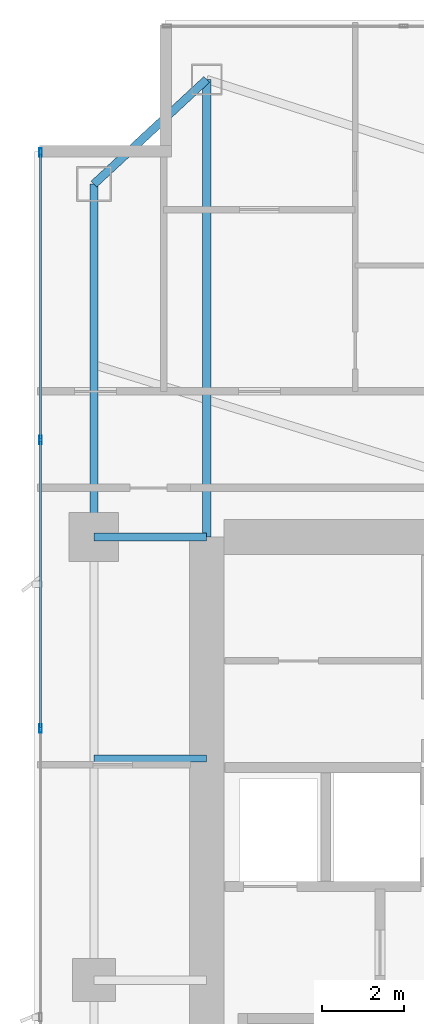
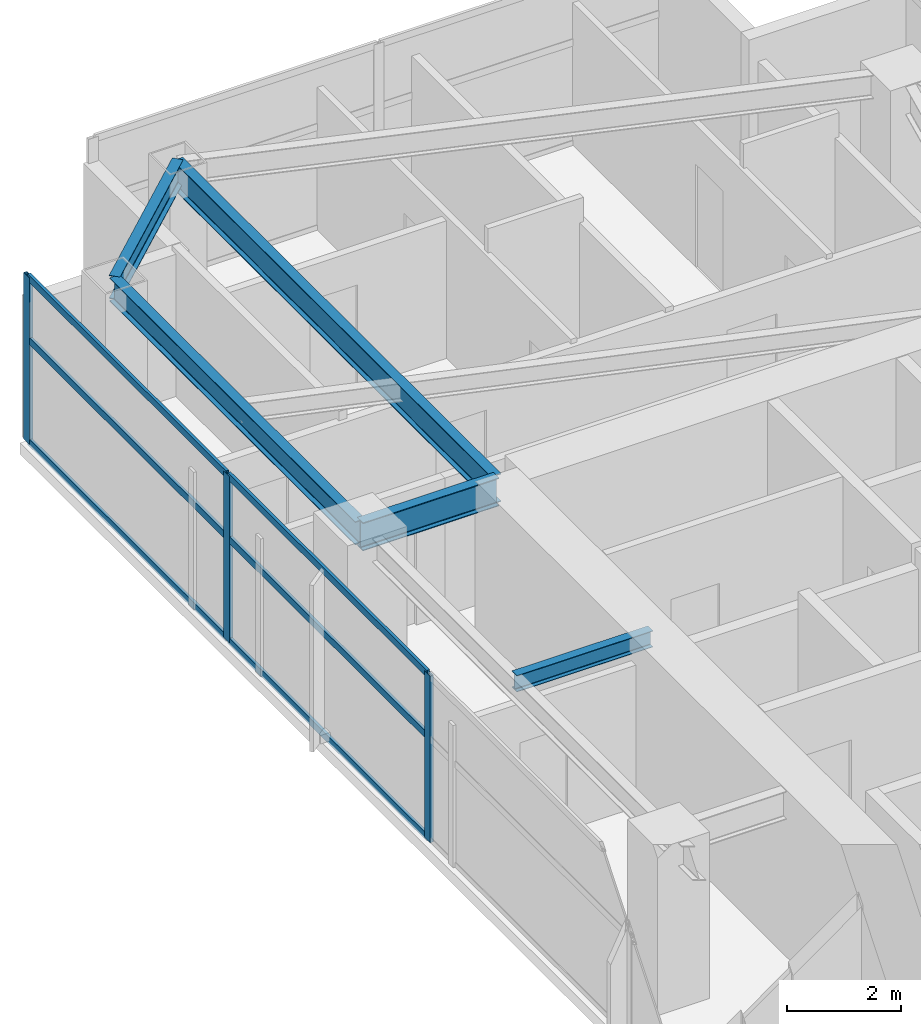
# One storey, part 16 of 28: 9 members, 5 beams, 1 element without a shape of its own.
"""IFC4 building model written with IfcOpenShell, lengths in metres."""

from ifc_helpers import new_model, si_unit, direction, frame, origin, origin_2d, place, context, subcontext, project, spatial, hollow_rectangle, i_section, extrude, material, layer, layer_set, material_profile, profile_set, type_object, element, aggregate, save


model = new_model("IFC4")

# Units and contexts
model_context = context("Model", 3, precision=1e-05, world=origin(), true_north=direction((0.0, 1.0)))
body_context = subcontext(model_context, "Body", "Model", "MODEL_VIEW")
ifc_project = project(units=[si_unit("LENGTHUNIT", "METRE"), si_unit("AREAUNIT", "SQUARE_METRE"), si_unit("VOLUMEUNIT", "CUBIC_METRE"), si_unit("PLANEANGLEUNIT", "RADIAN"), si_unit("MASSUNIT", "GRAM", prefix="KILO")], contexts=[model_context])

# Site, building, storey
site_placement = place(None, origin())
site = spatial("IfcSite", under=ifc_project, at=site_placement, CompositionType="ELEMENT")
building_placement = place(site_placement, origin())
building = spatial("IfcBuilding", under=site, at=building_placement, Name="Calvorn Quay Hotel", CompositionType="ELEMENT")
storey_placement = place(building_placement, frame((0.0, 0.0, 159.89990234375)))
storey = spatial("IfcBuildingStorey", under=building, at=storey_placement, Name="L39", CompositionType="ELEMENT", Elevation=159.89990234375)

# Beams
ifc_material_1 = material(Name="Steel Q355B", Category="steel")
ifc_material_profile_1 = material_profile(ifc_material_1, i_section(OverallWidth=0.199951171875, OverallDepth=0.60009765625, WebThickness=0.010986328125, FlangeThickness=0.01708984375, FilletRadius=0.01806640625, at=origin_2d()), Name="HN600x200x11x17")
ifc_profile_set_1 = profile_set([ifc_material_profile_1], Name="Steel Q355B")
beam_type_1 = type_object("IfcBeamType", Name="BM-GIRD-TYP", PredefinedType="BEAM", material=ifc_profile_set_1)
beam_1_placement = place(storey_placement, frame((1.449951171875, 38.39990234375, 3.239990234375), z_axis=(1.0, 0.0, 0.0), x_axis=(0.0, 1.0, 0.0)))
element("IfcBeam", 1, at=beam_1_placement, inside=storey, type_object=beam_type_1, Name="Beam BG-L39-W3", PredefinedType="BEAM", context=body_context, shape_type="SweptSolid", body=[
    extrude(i_section(OverallWidth=0.199951171875, OverallDepth=0.60009765625, WebThickness=0.010986328125, FlangeThickness=0.01708984375, FilletRadius=0.01806640625, at=origin_2d()), origin(), (0.0, 0.0, 1.0), 2.75),
])
beam_2_placement = place(storey_placement, frame((4.199951171875, 49.550048828125, 3.239990234375), z_axis=(0.0, -1.0, 0.0), x_axis=(1.0, 0.0, 0.0)))
element("IfcBeam", 2, at=beam_2_placement, inside=storey, type_object=beam_type_1, Name="Beam BG-L39-W5", PredefinedType="BEAM", context=body_context, shape_type="SweptSolid", body=[
    extrude(i_section(OverallWidth=0.199951171875, OverallDepth=0.60009765625, WebThickness=0.010986328125, FlangeThickness=0.01708984375, FilletRadius=0.01806640625, at=origin_2d()), origin(), (0.0, 0.0, 1.0), 11.150146484375),
])
ifc_material_2 = material(Name="Steel Q355B", Category="steel")
ifc_material_profile_2 = material_profile(ifc_material_2, i_section(OverallWidth=0.175048828125, OverallDepth=0.35009765625, WebThickness=0.007080078125, FlangeThickness=0.010986328125, FilletRadius=0.013916015625, at=origin_2d()), Name="HN350x175x7x11")
ifc_profile_set_2 = profile_set([ifc_material_profile_2], Name="Steel Q355B")
beam_type_2 = type_object("IfcBeamType", Name="BM-JOIST-SEC", PredefinedType="JOIST", material=ifc_profile_set_2)
beam_3_placement = place(storey_placement, frame((1.449951171875, 33.0, 3.364990234375), z_axis=(1.0, 0.0, 0.0), x_axis=(0.0, 1.0, 0.0)))
element("IfcBeam", 3, at=beam_3_placement, inside=storey, type_object=beam_type_2, Name="Beam BJ-L39-W4", PredefinedType="JOIST", context=body_context, shape_type="SweptSolid", body=[
    extrude(i_section(OverallWidth=0.175048828125, OverallDepth=0.35009765625, WebThickness=0.007080078125, FlangeThickness=0.010986328125, FilletRadius=0.013916015625, at=origin_2d()), origin(), (0.0, 0.0, 1.0), 2.75),
])
ifc_material_3 = material(Name="Steel Q355B", Category="steel")
ifc_material_profile_3 = material_profile(ifc_material_3, i_section(OverallWidth=0.199951171875, OverallDepth=0.5, WebThickness=0.010009765625, FlangeThickness=0.01611328125, FilletRadius=0.01611328125, at=origin_2d()), Name="HN500x200x10x16")
ifc_profile_set_3 = profile_set([ifc_material_profile_3], Name="Steel Q355B")
beam_type_3 = type_object("IfcBeamType", Name="BM-SPANDREL-Z1", PredefinedType="SPANDREL", material=ifc_profile_set_3)
beam_4_placement = place(storey_placement, frame((1.449951171875, 38.39990234375, 3.2900390625), z_axis=(0.0, 1.0, 0.0), x_axis=(-1.0, 0.0, 0.0)))
element("IfcBeam", 4, at=beam_4_placement, inside=storey, type_object=beam_type_3, Name="Beam BSP-L39-W4", PredefinedType="SPANDREL", context=body_context, shape_type="SweptSolid", body=[
    extrude(i_section(OverallWidth=0.199951171875, OverallDepth=0.5, WebThickness=0.010009765625, FlangeThickness=0.01611328125, FilletRadius=0.01611328125, at=origin_2d()), origin(), (0.0, 0.0, 1.0), 8.60009765625),
])
beam_5_placement = place(storey_placement, frame((1.449951171875, 47.0, 3.2900390625), z_axis=(0.733261665538, 0.679946563969, 0.0), x_axis=(-0.679946563969, 0.733261665538, 0.0)))
element("IfcBeam", 5, at=beam_5_placement, inside=storey, type_object=beam_type_3, Name="Beam BSP-L39-W5", PredefinedType="SPANDREL", context=body_context, shape_type="SweptSolid", body=[
    extrude(i_section(OverallWidth=0.199951171875, OverallDepth=0.5, WebThickness=0.010009765625, FlangeThickness=0.01611328125, FilletRadius=0.01611328125, at=origin_2d()), origin(), (0.0, 0.0, 1.0), 3.75048828125),
])

# Curtain wall, members
ifc_material_4 = material(Name="Pale Anodised Aluminium and Low-E Glass", Category="aluminium")
ifc_layer = layer(ifc_material_4, 0.219970703125)
ifc_layer_set = layer_set([ifc_layer], Name="CW-SYS-Z2")
curtain_wall_type = type_object("IfcCurtainWallType", Name="CW-SYS-Z2", PredefinedType="NOTDEFINED", material=ifc_layer_set)
curtain_wall_placement = place(storey_placement, origin())
curtain_wall = element("IfcCurtainWall", 6, at=curtain_wall_placement, inside=storey, type_object=curtain_wall_type, Name="Tower West Curtain Wall (L39)", PredefinedType="NOTDEFINED")
ifc_material_5 = material(Name="Pale Anodised Aluminium 6063-T6", Category="aluminium")
ifc_material_profile_4 = material_profile(ifc_material_5, hollow_rectangle(XDim=0.070068359375, YDim=0.199951171875, WallThickness=0.00390625, at=origin_2d()), Name="ALU-M200x70x4")
ifc_profile_set_4 = profile_set([ifc_material_profile_4], Name="Pale Anodised Aluminium 6063-T6")
member_type_1 = type_object("IfcMemberType", Name="CW-SYS-Z2-MUL", PredefinedType="MULLION", material=ifc_profile_set_4)
member_1_placement = place(storey_placement, frame((0.14990234375, 33.7333984375, 0.0), z_axis=(0.0, 0.0, 1.0), x_axis=(-1.0, 0.0, 0.0)))
member_1 = element("IfcMember", 7, at=member_1_placement, type_object=member_type_1, Name="CW-L39-W mullion 5", PredefinedType="MULLION", context=body_context, shape_type="SweptSolid", body=[
    extrude(hollow_rectangle(XDim=0.070068359375, YDim=0.199951171875, WallThickness=0.00390625, at=origin_2d()), origin(), (0.0, 0.0, 1.0), 3.56005859375),
])
member_2_placement = place(storey_placement, frame((0.14990234375, 40.7666015625, 0.0), z_axis=(0.0, 0.0, 1.0), x_axis=(-1.0, 0.0, 0.0)))
member_2 = element("IfcMember", 8, at=member_2_placement, type_object=member_type_1, Name="CW-L39-W mullion 6", PredefinedType="MULLION", context=body_context, shape_type="SweptSolid", body=[
    extrude(hollow_rectangle(XDim=0.070068359375, YDim=0.199951171875, WallThickness=0.00390625, at=origin_2d()), origin(), (0.0, 0.0, 1.0), 3.56005859375),
])
member_3_placement = place(storey_placement, frame((0.14990234375, 47.77001953125, 0.0), z_axis=(0.0, 0.0, 1.0), x_axis=(-1.0, 0.0, 0.0)))
member_3 = element("IfcMember", 9, at=member_3_placement, type_object=member_type_1, Name="CW-L39-W mullion 7", PredefinedType="MULLION", context=body_context, shape_type="SweptSolid", body=[
    extrude(hollow_rectangle(XDim=0.070068359375, YDim=0.199951171875, WallThickness=0.00390625, at=origin_2d()), origin(), (0.0, 0.0, 1.0), 3.56005859375),
])
ifc_material_6 = material(Name="Pale Anodised Aluminium 6063-T6", Category="aluminium")
ifc_material_profile_5 = material_profile(ifc_material_6, hollow_rectangle(XDim=0.06005859375, YDim=0.14990234375, WallThickness=0.00341796875, at=origin_2d()), Name="ALU-T150x60x3.5")
ifc_profile_set_5 = profile_set([ifc_material_profile_5], Name="Pale Anodised Aluminium 6063-T6")
member_type_2 = type_object("IfcMemberType", Name="CW-SYS-Z2-TRN", PredefinedType="USERDEFINED", material=ifc_profile_set_5)
member_4_placement = place(storey_placement, frame((0.14990234375, 33.763427734375, 0.030029296875), z_axis=(0.0, 1.0, 0.0), x_axis=(-1.0, 0.0, 0.0)))
member_4 = element("IfcMember", 10, at=member_4_placement, type_object=member_type_2, Name="CW-L39-W transom 5.1", ObjectType="TRANSOM", PredefinedType="USERDEFINED", context=body_context, shape_type="SweptSolid", body=[
    extrude(hollow_rectangle(XDim=0.06005859375, YDim=0.14990234375, WallThickness=0.00341796875, at=origin_2d()), origin(), (0.0, 0.0, 1.0), 6.97314453125),
])
member_5_placement = place(storey_placement, frame((0.14990234375, 33.763427734375, 2.2001953125), z_axis=(0.0, 1.0, 0.0), x_axis=(-1.0, 0.0, 0.0)))
member_5 = element("IfcMember", 11, at=member_5_placement, type_object=member_type_2, Name="CW-L39-W transom 5.2", ObjectType="TRANSOM", PredefinedType="USERDEFINED", context=body_context, shape_type="SweptSolid", body=[
    extrude(hollow_rectangle(XDim=0.06005859375, YDim=0.14990234375, WallThickness=0.00341796875, at=origin_2d()), origin(), (0.0, 0.0, 1.0), 6.97314453125),
])
member_6_placement = place(storey_placement, frame((0.14990234375, 33.763427734375, 3.530029296875), z_axis=(0.0, 1.0, 0.0), x_axis=(-1.0, 0.0, 0.0)))
member_6 = element("IfcMember", 12, at=member_6_placement, type_object=member_type_2, Name="CW-L39-W transom 5.3", ObjectType="TRANSOM", PredefinedType="USERDEFINED", context=body_context, shape_type="SweptSolid", body=[
    extrude(hollow_rectangle(XDim=0.06005859375, YDim=0.14990234375, WallThickness=0.00341796875, at=origin_2d()), origin(), (0.0, 0.0, 1.0), 6.97314453125),
])
member_7_placement = place(storey_placement, frame((0.14990234375, 40.796630859375, 0.030029296875), z_axis=(0.0, 1.0, 0.0), x_axis=(-1.0, 0.0, 0.0)))
member_7 = element("IfcMember", 13, at=member_7_placement, type_object=member_type_2, Name="CW-L39-W transom 6.1", ObjectType="TRANSOM", PredefinedType="USERDEFINED", context=body_context, shape_type="SweptSolid", body=[
    extrude(hollow_rectangle(XDim=0.06005859375, YDim=0.14990234375, WallThickness=0.00341796875, at=origin_2d()), origin(), (0.0, 0.0, 1.0), 6.943359375),
])
member_8_placement = place(storey_placement, frame((0.14990234375, 40.796630859375, 2.2001953125), z_axis=(0.0, 1.0, 0.0), x_axis=(-1.0, 0.0, 0.0)))
member_8 = element("IfcMember", 14, at=member_8_placement, type_object=member_type_2, Name="CW-L39-W transom 6.2", ObjectType="TRANSOM", PredefinedType="USERDEFINED", context=body_context, shape_type="SweptSolid", body=[
    extrude(hollow_rectangle(XDim=0.06005859375, YDim=0.14990234375, WallThickness=0.00341796875, at=origin_2d()), origin(), (0.0, 0.0, 1.0), 6.943359375),
])
member_9_placement = place(storey_placement, frame((0.14990234375, 40.796630859375, 3.530029296875), z_axis=(0.0, 1.0, 0.0), x_axis=(-1.0, 0.0, 0.0)))
member_9 = element("IfcMember", 15, at=member_9_placement, type_object=member_type_2, Name="CW-L39-W transom 6.3", ObjectType="TRANSOM", PredefinedType="USERDEFINED", context=body_context, shape_type="SweptSolid", body=[
    extrude(hollow_rectangle(XDim=0.06005859375, YDim=0.14990234375, WallThickness=0.00341796875, at=origin_2d()), origin(), (0.0, 0.0, 1.0), 6.943359375),
])
aggregate(curtain_wall, [member_1, member_2, member_3, member_4, member_5, member_6, member_7, member_8, member_9])

save(model, "model.ifc")
